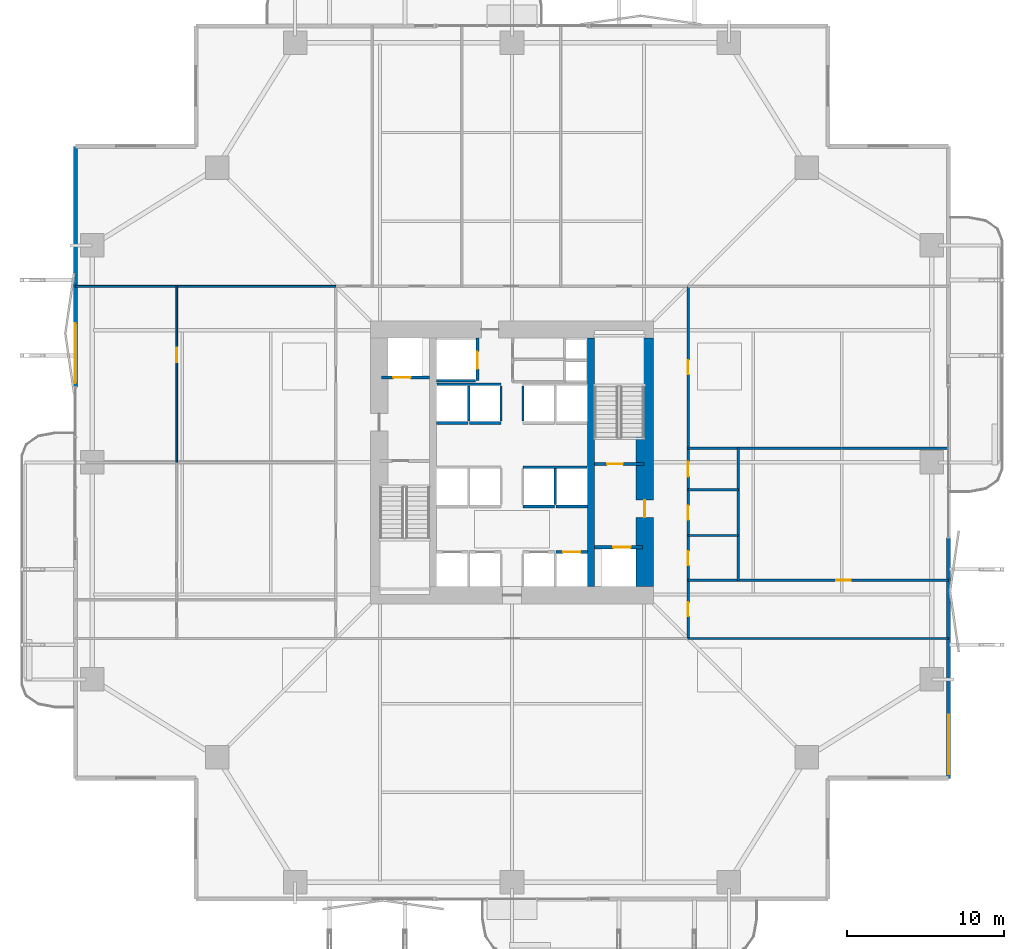
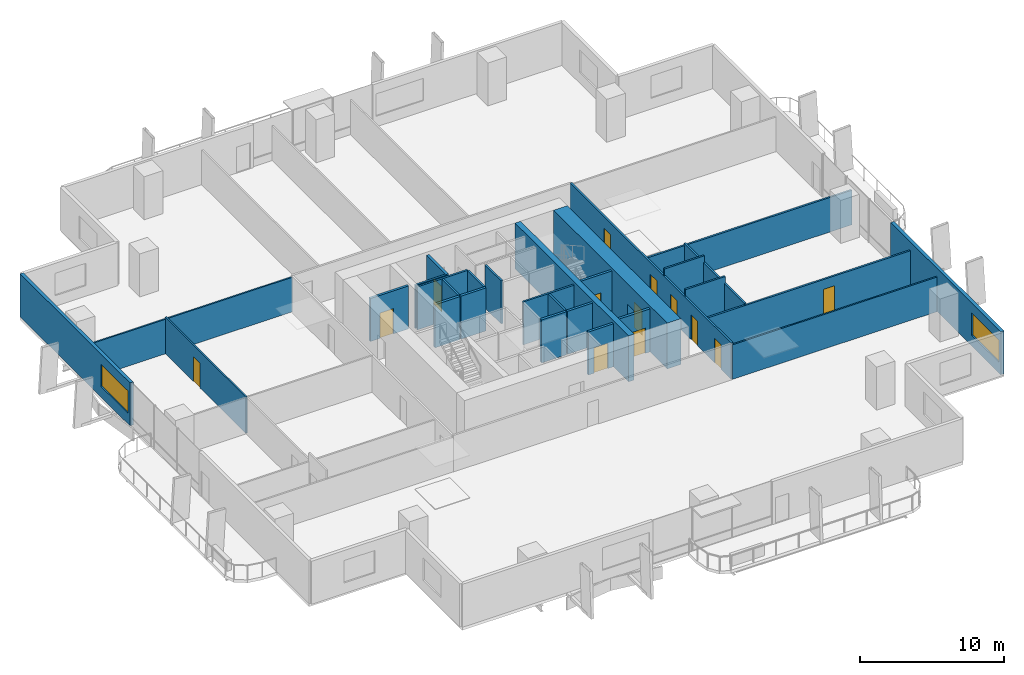
# One storey, part 18 of 24: 29 walls, 13 doors, 2 windows, 15 openings.
"""IFC4 building model written with IfcOpenShell, lengths in metres."""

from ifc_helpers import new_model, si_unit, direction, frame, frame_2d, origin, place, context, subcontext, project, spatial, rectangle, extrude, material, layer, layer_set, type_object, element, fill, save


model = new_model("IFC4")

# Units and contexts
model_context = context("Model", 3, precision=1e-05, world=origin(), true_north=direction((0.0, 1.0)))
body_context = subcontext(model_context, "Body", "Model", "MODEL_VIEW")
ifc_project = project(units=[si_unit("LENGTHUNIT", "METRE"), si_unit("AREAUNIT", "SQUARE_METRE"), si_unit("VOLUMEUNIT", "CUBIC_METRE"), si_unit("PLANEANGLEUNIT", "RADIAN"), si_unit("MASSUNIT", "GRAM", prefix="KILO")], contexts=[model_context])

# Site, building, storey
site_placement = place(None, origin())
site = spatial("IfcSite", under=ifc_project, at=site_placement, CompositionType="ELEMENT")
building_placement = place(site_placement, origin())
building = spatial("IfcBuilding", under=site, at=building_placement, Name="Belovzor Exchange Tower", CompositionType="ELEMENT")
storey_placement = place(building_placement, frame((0.0, 0.0, 45.60009765625)))
storey = spatial("IfcBuildingStorey", under=building, at=storey_placement, Name="L10", CompositionType="ELEMENT", Elevation=45.60009765625)

# Walls
ifc_material_1 = material(Name="Acoustic Plasterboard on Galvanised Studs", Category="gypsum")
ifc_layer_1 = layer(ifc_material_1, 0.1201171875)
ifc_layer_set_1 = layer_set([ifc_layer_1], Name="Acoustic Plasterboard on Galvanised Studs")
wall_type_1 = type_object("IfcWallType", Name="Acoustic Double-Stud Partition Wall 120", PredefinedType="PARTITIONING", material=ifc_layer_set_1)
for number, where, z_axis, x_axis, name in (
    (1, (40.0, 17.60009765625, 0.0), (0.0, 0.0, 1.0), (1.0, 0.0, 0.0), "W-P120 Partition Wall W-L10-END-SE"),
    (2, (1.030029296875, 40.0, 0.0), (0.0, 0.0, 1.0), (1.0, 0.0, 0.0), "W-P120 Partition Wall W-L10-END-NW"),
):
    element("IfcWall", number, at=place(storey_placement, frame(where, z_axis=z_axis, x_axis=x_axis)), inside=storey, type_object=wall_type_1, Name=name, PredefinedType="PARTITIONING", context=body_context, shape_type="SweptSolid", body=[
        extrude(rectangle(XDim=16.570068359375, YDim=0.1201171875, at=frame_2d((8.28515625, 0.0))), origin(), (0.0, 0.0, 1.0), 2.934814453125),
    ])

# Wall, opening, door
wall_1_placement = place(storey_placement, frame((7.47607421875, 28.787109375, 0.0), z_axis=(0.0, 0.0, 1.0), x_axis=(0.0, 1.0, 0.0)))
wall_1 = element("IfcWall", 3, at=wall_1_placement, inside=storey, type_object=wall_type_1, Name="W-P120 Partition Wall W-L10-WHDIV-2", PredefinedType="PARTITIONING", context=body_context, shape_type="SweptSolid", body=[
    extrude(rectangle(XDim=11.212890625, YDim=0.1201171875, at=frame_2d((5.6064453125, 0.0))), origin(), (0.0, 0.0, 1.0), 3.0849609375),
])
opening_1_placement = place(wall_1_placement, frame((6.39599609375, 0.0, 0.0)))
opening_1 = element("IfcOpeningElement", 4, at=opening_1_placement, cuts=wall_1, Name="Opening D-INT-090", PredefinedType="OPENING", context=body_context, shape_type="SweptSolid", body=[
    extrude(rectangle(XDim=0.89990234375, YDim=2.10009765625, at=frame_2d((0.449951171875, 1.050048828125))), frame((0.0, 0.070068359375, 0.0), z_axis=(0.0, -1.0, 0.0), x_axis=(1.0, 0.0, 0.0)), (0.0, 0.0, 1.0), 0.14013671875),
])
ifc_material_2 = material(Name="Veneered Hardwood Acoustic Leaf", Category="wood")
door_type_1 = type_object("IfcDoorType", Name="Trading Suite Acoustic Single Door 900x2100", OperationType="NOTDEFINED", PredefinedType="DOOR", material=ifc_material_2)
door_1_placement = place(opening_1_placement, origin())
door_1 = element("IfcDoor", 5, at=door_1_placement, inside=storey, type_object=door_type_1, Name="D-INT-090 Trading Suite Acoustic Single Door 900x2100", OperationType="SINGLE_SWING_LEFT", OverallHeight=2.10009765625, OverallWidth=0.89990234375, PredefinedType="DOOR", context=body_context, shape_type="SweptSolid", body=[
    extrude(rectangle(XDim=0.89990234375, YDim=2.10009765625, at=frame_2d((0.449951171875, 1.050048828125))), frame((0.0, 0.02490234375, 0.0), z_axis=(0.0, -1.0, 0.0), x_axis=(1.0, 0.0, 0.0)), (0.0, 0.0, 1.0), 0.050048828125),
])
fill(opening_1, door_1)

# Wall
ifc_material_3 = material(Name="Fire-Rated Gypsum Block and Mineral Wool", Category="gypsum")
ifc_layer_2 = layer(ifc_material_3, 0.14990234375)
ifc_layer_set_2 = layer_set([ifc_layer_2], Name="Fire-Rated Gypsum Block and Mineral Wool")
wall_type_2 = type_object("IfcWallType", Name="Fire-Rated Gypsum Block Corridor Wall 150", PredefinedType="PARTITIONING", material=ifc_layer_set_2)
wall_2_placement = place(storey_placement, frame((43.199951171875, 21.300048828125, 0.0), z_axis=(0.0, 0.0, 1.0), x_axis=(0.0, 1.0, 0.0)))
element("IfcWall", 6, at=wall_2_placement, inside=storey, type_object=wall_type_2, Name="W-P150 Partition Wall W-L10-WCE", PredefinedType="PARTITIONING", context=body_context, shape_type="SweptSolid", body=[
    extrude(rectangle(XDim=8.39990234375, YDim=0.14990234375, at=frame_2d((4.199951171875, 0.0))), origin(), (0.0, 0.0, 1.0), 3.0849609375),
])

# Wall, opening, door
wall_3_placement = place(storey_placement, frame((40.0, 21.300048828125, 0.0), z_axis=(0.0, 0.0, 1.0), x_axis=(1.0, 0.0, 0.0)))
wall_3 = element("IfcWall", 7, at=wall_3_placement, inside=storey, type_object=wall_type_2, Name="W-P150 Partition Wall W-L10-WCS", PredefinedType="PARTITIONING", context=body_context, shape_type="SweptSolid", body=[
    extrude(rectangle(XDim=16.570068359375, YDim=0.14990234375, at=frame_2d((8.28515625, 0.0))), origin(), (0.0, 0.0, 1.0), 2.934814453125),
])
opening_2_placement = place(wall_3_placement, frame((9.43505859375, 0.0, 0.0)))
opening_2 = element("IfcOpeningElement", 8, at=opening_2_placement, cuts=wall_3, Name="Opening D-INT-090", PredefinedType="OPENING", context=body_context, shape_type="SweptSolid", body=[
    extrude(rectangle(XDim=0.89990234375, YDim=2.10009765625, at=frame_2d((0.449951171875, 1.050048828125))), frame((0.0, 0.0849609375, 0.0), z_axis=(0.0, -1.0, 0.0), x_axis=(1.0, 0.0, 0.0)), (0.0, 0.0, 1.0), 0.169921875),
])
door_2_placement = place(opening_2_placement, origin())
door_2 = element("IfcDoor", 9, at=door_2_placement, inside=storey, type_object=door_type_1, Name="D-INT-090 Trading Suite Acoustic Single Door 900x2100", OperationType="SINGLE_SWING_LEFT", OverallHeight=2.10009765625, OverallWidth=0.89990234375, PredefinedType="DOOR", context=body_context, shape_type="SweptSolid", body=[
    extrude(rectangle(XDim=0.89990234375, YDim=2.10009765625, at=frame_2d((0.449951171875, 1.050048828125))), frame((0.0, 0.02490234375, 0.0), z_axis=(0.0, -1.0, 0.0), x_axis=(1.0, 0.0, 0.0)), (0.0, 0.0, 1.0), 0.050048828125),
])
fill(opening_2, door_2)

# Walls
wall_4_placement = place(storey_placement, frame((40.0, 29.699951171875, 0.0), z_axis=(0.0, 0.0, 1.0), x_axis=(1.0, 0.0, 0.0)))
element("IfcWall", 10, at=wall_4_placement, inside=storey, type_object=wall_type_2, Name="W-P150 Partition Wall W-L10-WCN", PredefinedType="PARTITIONING", context=body_context, shape_type="SweptSolid", body=[
    extrude(rectangle(XDim=16.570068359375, YDim=0.14990234375, at=frame_2d((8.28515625, 0.0))), origin(), (0.0, 0.0, 1.0), 2.934814453125),
])
for number, where, z_axis, x_axis, name in (
    (11, (40.0, 24.14990234375, 0.0), (0.0, 0.0, 1.0), (1.0, 0.0, 0.0), "W-P150 Partition Wall W-L10-WCD1"),
    (12, (40.0, 27.050048828125, 0.0), (0.0, 0.0, 1.0), (1.0, 0.0, 0.0), "W-P150 Partition Wall W-L10-WCD2"),
):
    element("IfcWall", number, at=place(storey_placement, frame(where, z_axis=z_axis, x_axis=x_axis)), inside=storey, type_object=wall_type_2, Name=name, PredefinedType="PARTITIONING", context=body_context, shape_type="SweptSolid", body=[
        extrude(rectangle(XDim=3.199951171875, YDim=0.14990234375, at=frame_2d((1.60009765625, 0.0))), origin(), (0.0, 0.0, 1.0), 3.64990234375),
    ])

# Wall, openings, doors
wall_5_placement = place(storey_placement, frame((40.0, 17.60009765625, 0.0), z_axis=(0.0, 0.0, 1.0), x_axis=(0.0, 1.0, 0.0)))
wall_5 = element("IfcWall", 13, at=wall_5_placement, inside=storey, type_object=wall_type_2, Name="W-P150 Partition Wall W-L10-CE", PredefinedType="PARTITIONING", context=body_context, shape_type="SweptSolid", body=[
    extrude(rectangle(XDim=22.39990234375, YDim=0.14990234375, at=frame_2d((11.199951171875, 0.0))), origin(), (0.0, 0.0, 1.0), 3.0849609375),
])
opening_3_placement = place(wall_5_placement, frame((1.39990234375, 0.0, 0.0)))
opening_3 = element("IfcOpeningElement", 14, at=opening_3_placement, cuts=wall_5, Name="Opening D-INT-090", PredefinedType="OPENING", context=body_context, shape_type="SweptSolid", body=[
    extrude(rectangle(XDim=0.89990234375, YDim=2.10009765625, at=frame_2d((0.449951171875, 1.050048828125))), frame((0.0, 0.0849609375, 0.0), z_axis=(0.0, -1.0, 0.0), x_axis=(1.0, 0.0, 0.0)), (0.0, 0.0, 1.0), 0.169921875),
])
opening_4_placement = place(wall_5_placement, frame((4.64990234375, 0.0, 0.0)))
opening_4 = element("IfcOpeningElement", 15, at=opening_4_placement, cuts=wall_5, Name="Opening D-FD60-090", PredefinedType="OPENING", context=body_context, shape_type="SweptSolid", body=[
    extrude(rectangle(XDim=0.89990234375, YDim=2.10009765625, at=frame_2d((0.449951171875, 1.050048828125))), frame((0.0, 0.0849609375, 0.0), z_axis=(0.0, -1.0, 0.0), x_axis=(1.0, 0.0, 0.0)), (0.0, 0.0, 1.0), 0.169921875),
])
opening_5_placement = place(wall_5_placement, frame((7.550048828125, 0.0, 0.0)))
opening_5 = element("IfcOpeningElement", 16, at=opening_5_placement, cuts=wall_5, Name="Opening D-FD60-090", PredefinedType="OPENING", context=body_context, shape_type="SweptSolid", body=[
    extrude(rectangle(XDim=0.89990234375, YDim=2.10009765625, at=frame_2d((0.449951171875, 1.050048828125))), frame((0.0, 0.0849609375, 0.0), z_axis=(0.0, -1.0, 0.0), x_axis=(1.0, 0.0, 0.0)), (0.0, 0.0, 1.0), 0.169921875),
])
opening_6_placement = place(wall_5_placement, frame((10.300048828125, 0.0, 0.0)))
opening_6 = element("IfcOpeningElement", 17, at=opening_6_placement, cuts=wall_5, Name="Opening D-FD60-095", PredefinedType="OPENING", context=body_context, shape_type="SweptSolid", body=[
    extrude(rectangle(XDim=0.949951171875, YDim=2.10009765625, at=frame_2d((0.47509765625, 1.050048828125))), frame((0.0, 0.0849609375, 0.0), z_axis=(0.0, -1.0, 0.0), x_axis=(1.0, 0.0, 0.0)), (0.0, 0.0, 1.0), 0.169921875),
])
opening_7_placement = place(wall_5_placement, frame((16.800048828125, 0.0, 0.0)))
opening_7 = element("IfcOpeningElement", 18, at=opening_7_placement, cuts=wall_5, Name="Opening D-INT-090", PredefinedType="OPENING", context=body_context, shape_type="SweptSolid", body=[
    extrude(rectangle(XDim=0.89990234375, YDim=2.10009765625, at=frame_2d((0.449951171875, 1.050048828125))), frame((0.0, 0.0849609375, 0.0), z_axis=(0.0, -1.0, 0.0), x_axis=(1.0, 0.0, 0.0)), (0.0, 0.0, 1.0), 0.169921875),
])
ifc_material_4 = material(Name="Moisture-Resistant Timber Fire Leaf", Category="wood")
door_type_2 = type_object("IfcDoorType", Name="Accessible Restroom Wide Fire Door 950x2100", OperationType="NOTDEFINED", PredefinedType="DOOR", material=ifc_material_4)
door_3_placement = place(opening_6_placement, origin())
door_3 = element("IfcDoor", 19, at=door_3_placement, inside=storey, type_object=door_type_2, Name="D-FD60-095 Accessible Restroom Wide Fire Door 950x2100", OperationType="SINGLE_SWING_LEFT", OverallHeight=2.10009765625, OverallWidth=0.949951171875, PredefinedType="DOOR", context=body_context, shape_type="SweptSolid", body=[
    extrude(rectangle(XDim=0.949951171875, YDim=2.10009765625, at=frame_2d((0.47509765625, 1.050048828125))), frame((0.0, 0.02490234375, 0.0), z_axis=(0.0, -1.0, 0.0), x_axis=(1.0, 0.0, 0.0)), (0.0, 0.0, 1.0), 0.050048828125),
])
fill(opening_6, door_3)
ifc_material_5 = material(Name="Acoustic Timber Fire Leaf", Category="wood")
door_type_3 = type_object("IfcDoorType", Name="Core Service & Restroom Fire Door 900x2100", OperationType="NOTDEFINED", PredefinedType="DOOR", material=ifc_material_5)
door_4_placement = place(opening_4_placement, origin())
door_4 = element("IfcDoor", 20, at=door_4_placement, inside=storey, type_object=door_type_3, Name="D-FD60-090 Core Service & Restroom Fire Door 900x2100", OperationType="SINGLE_SWING_LEFT", OverallHeight=2.10009765625, OverallWidth=0.89990234375, PredefinedType="DOOR", context=body_context, shape_type="SweptSolid", body=[
    extrude(rectangle(XDim=0.89990234375, YDim=2.10009765625, at=frame_2d((0.449951171875, 1.050048828125))), frame((0.0, 0.02490234375, 0.0), z_axis=(0.0, -1.0, 0.0), x_axis=(1.0, 0.0, 0.0)), (0.0, 0.0, 1.0), 0.050048828125),
])
fill(opening_4, door_4)
door_5_placement = place(opening_5_placement, origin())
door_5 = element("IfcDoor", 21, at=door_5_placement, inside=storey, type_object=door_type_3, Name="D-FD60-090 Core Service & Restroom Fire Door 900x2100", OperationType="SINGLE_SWING_RIGHT", OverallHeight=2.10009765625, OverallWidth=0.89990234375, PredefinedType="DOOR", context=body_context, shape_type="SweptSolid", body=[
    extrude(rectangle(XDim=0.89990234375, YDim=2.10009765625, at=frame_2d((0.449951171875, 1.050048828125))), frame((0.0, 0.02490234375, 0.0), z_axis=(0.0, -1.0, 0.0), x_axis=(1.0, 0.0, 0.0)), (0.0, 0.0, 1.0), 0.050048828125),
])
fill(opening_5, door_5)
door_6_placement = place(opening_3_placement, origin())
door_6 = element("IfcDoor", 22, at=door_6_placement, inside=storey, type_object=door_type_1, Name="D-INT-090 Trading Suite Acoustic Single Door 900x2100", OperationType="SINGLE_SWING_LEFT", OverallHeight=2.10009765625, OverallWidth=0.89990234375, PredefinedType="DOOR", context=body_context, shape_type="SweptSolid", body=[
    extrude(rectangle(XDim=0.89990234375, YDim=2.10009765625, at=frame_2d((0.449951171875, 1.050048828125))), frame((0.0, 0.02490234375, 0.0), z_axis=(0.0, -1.0, 0.0), x_axis=(1.0, 0.0, 0.0)), (0.0, 0.0, 1.0), 0.050048828125),
])
fill(opening_3, door_6)
door_7_placement = place(opening_7_placement, origin())
door_7 = element("IfcDoor", 23, at=door_7_placement, inside=storey, type_object=door_type_1, Name="D-INT-090 Trading Suite Acoustic Single Door 900x2100", OperationType="SINGLE_SWING_RIGHT", OverallHeight=2.10009765625, OverallWidth=0.89990234375, PredefinedType="DOOR", context=body_context, shape_type="SweptSolid", body=[
    extrude(rectangle(XDim=0.89990234375, YDim=2.10009765625, at=frame_2d((0.449951171875, 1.050048828125))), frame((0.0, 0.02490234375, 0.0), z_axis=(0.0, -1.0, 0.0), x_axis=(1.0, 0.0, 0.0)), (0.0, 0.0, 1.0), 0.050048828125),
])
fill(opening_7, door_7)

# Wall, opening, window
ifc_material_6 = material(Name="Precast concrete C40/50", Category="concrete")
ifc_layer_3 = layer(ifc_material_6, 0.260009765625)
ifc_layer_set_3 = layer_set([ifc_layer_3], Name="Precast concrete C40/50")
wall_type_3 = type_object("IfcWallType", Name="Precast Concrete Perimeter Loggia Frame Wall 260", PredefinedType="SOLIDWALL", material=ifc_layer_set_3)
wall_6_placement = place(storey_placement, frame((1.030029296875, 33.60009765625, 0.0), z_axis=(0.0, 0.0, 1.0), x_axis=(0.0, 1.0, 0.0)))
wall_6 = element("IfcWall", 24, at=wall_6_placement, inside=storey, type_object=wall_type_3, Name="W-EXT260 Precast Concrete Perimeter Loggia Frame Wall 260 L10", PredefinedType="SOLIDWALL", context=body_context, shape_type="SweptSolid", body=[
    extrude(rectangle(XDim=15.2998046875, YDim=0.260009765625, at=frame_2d((7.64990234375, 0.0))), origin(), (0.0, 0.0, 1.0), 3.64990234375),
])
opening_8_placement = place(wall_6_placement, frame((0.25, 0.0, 0.89990234375)))
opening_8 = element("IfcOpeningElement", 25, at=opening_8_placement, cuts=wall_6, Name="Opening WN-RIB380", PredefinedType="OPENING", context=body_context, shape_type="SweptSolid", body=[
    extrude(rectangle(XDim=3.800048828125, YDim=1.89990234375, at=frame_2d((1.89990234375, 0.949951171875))), frame((0.0, 0.139892578125, 0.0), z_axis=(0.0, -1.0, 0.0), x_axis=(1.0, 0.0, 0.0)), (0.0, 0.0, 1.0), 0.280029296875),
])
ifc_material_7 = material(Name="Thermally Broken Aluminium and Triple Glazing", Category="aluminium")
window_type = type_object("IfcWindowType", Name="Streamline Moderne Horizontal Ribbon Window 3800x1900", PartitioningType="SINGLE_PANEL", PredefinedType="WINDOW", material=ifc_material_7)
window_1_placement = place(opening_8_placement, origin())
window_1 = element("IfcWindow", 26, at=window_1_placement, inside=storey, type_object=window_type, Name="WN-RIB380 Streamline Moderne Horizontal Ribbon Window 3800x1900", OverallHeight=1.89990234375, OverallWidth=3.800048828125, PartitioningType="SINGLE_PANEL", PredefinedType="WINDOW", context=body_context, shape_type="SweptSolid", body=[
    extrude(rectangle(XDim=3.800048828125, YDim=1.89990234375, at=frame_2d((1.89990234375, 0.949951171875))), frame((0.0, 0.030029296875, 0.0), z_axis=(0.0, -1.0, 0.0), x_axis=(1.0, 0.0, 0.0)), (0.0, 0.0, 1.0), 0.06005859375),
])
fill(opening_8, window_1)

wall_7_placement = place(storey_placement, frame((56.570068359375, 24.0, 0.0), z_axis=(0.0, 0.0, 1.0), x_axis=(0.0, -1.0, 0.0)))
wall_7 = element("IfcWall", 27, at=wall_7_placement, inside=storey, type_object=wall_type_3, Name="W-EXT260 Precast Concrete Perimeter Loggia Frame Wall 260 L10", PredefinedType="SOLIDWALL", context=body_context, shape_type="SweptSolid", body=[
    extrude(rectangle(XDim=15.300048828125, YDim=0.260009765625, at=frame_2d((7.64990234375, 0.0))), origin(), (0.0, 0.0, 1.0), 3.64990234375),
])
opening_9_placement = place(wall_7_placement, frame((11.25, 0.0, 0.89990234375)))
opening_9 = element("IfcOpeningElement", 28, at=opening_9_placement, cuts=wall_7, Name="Opening WN-RIB380", PredefinedType="OPENING", context=body_context, shape_type="SweptSolid", body=[
    extrude(rectangle(XDim=3.800048828125, YDim=1.89990234375, at=frame_2d((1.89990234375, 0.949951171875))), frame((0.0, 0.139892578125, 0.0), z_axis=(0.0, -1.0, 0.0), x_axis=(1.0, 0.0, 0.0)), (0.0, 0.0, 1.0), 0.280029296875),
])
window_2_placement = place(opening_9_placement, origin())
window_2 = element("IfcWindow", 29, at=window_2_placement, inside=storey, type_object=window_type, Name="WN-RIB380 Streamline Moderne Horizontal Ribbon Window 3800x1900", OverallHeight=1.89990234375, OverallWidth=3.800048828125, PartitioningType="SINGLE_PANEL", PredefinedType="WINDOW", context=body_context, shape_type="SweptSolid", body=[
    extrude(rectangle(XDim=3.800048828125, YDim=1.89990234375, at=frame_2d((1.89990234375, 0.949951171875))), frame((0.0, 0.030029296875, 0.0), z_axis=(0.0, -1.0, 0.0), x_axis=(1.0, 0.0, 0.0)), (0.0, 0.0, 1.0), 0.06005859375),
])
fill(opening_9, window_2)

# Walls
ifc_material_8 = material(Name="Concrete C50/60", Category="concrete")
ifc_layer_4 = layer(ifc_material_8, 0.449951171875)
ifc_layer_set_4 = layer_set([ifc_layer_4], Name="Concrete C50/60")
wall_type_4 = type_object("IfcWallType", Name="Reinforced Concrete Core Internal Web Wall 450", PredefinedType="SHEAR", material=ifc_layer_set_4)
wall_8_placement = place(storey_placement, frame((33.824951171875, 20.89990234375, 0.0), z_axis=(0.0, 0.0, 1.0), x_axis=(0.0, 1.0, 0.0)))
element("IfcWall", 30, at=wall_8_placement, inside=storey, type_object=wall_type_4, Name="CW-W045 Core Internal Web Wall L10 ER", PredefinedType="SHEAR", context=body_context, shape_type="SweptSolid", body=[
    extrude(rectangle(XDim=15.800048828125, YDim=0.449951171875, at=frame_2d((7.89990234375, 0.0))), origin(), (0.0, 0.0, 1.0), 3.89990234375),
])
ifc_material_9 = material(Name="Concrete C50/60", Category="concrete")
ifc_layer_5 = layer(ifc_material_9, 0.14990234375)
ifc_layer_set_5 = layer_set([ifc_layer_5], Name="Concrete C50/60")
wall_type_5 = type_object("IfcWallType", Name="Reinforced Concrete Core Riser Shear Wall 150", PredefinedType="SHEAR", material=ifc_layer_set_5)
wall_9_placement = place(storey_placement, frame((24.0, 34.0, 0.0), z_axis=(0.0, 0.0, 1.0), x_axis=(1.0, 0.0, 0.0)))
element("IfcWall", 31, at=wall_9_placement, inside=storey, type_object=wall_type_5, Name="W-C150S Core Shaft Wall W-SH-L10-SL-01S", PredefinedType="SHEAR", context=body_context, shape_type="SweptSolid", body=[
    extrude(rectangle(XDim=2.47998046875, YDim=0.14990234375, at=frame_2d((1.239990234375, 0.0))), origin(), (0.0, 0.0, 1.0), 3.64990234375),
])
wall_10_placement = place(storey_placement, frame((29.5, 28.5, 0.0), z_axis=(0.0, 0.0, 1.0), x_axis=(1.0, 0.0, 0.0)))
element("IfcWall", 32, at=wall_10_placement, inside=storey, type_object=wall_type_5, Name="W-C150S Core Shaft Wall W-SHB-L10-PLM-NE", PredefinedType="SHEAR", context=body_context, shape_type="SweptSolid", body=[
    extrude(rectangle(XDim=4.080078125, YDim=0.14990234375, at=frame_2d((2.0400390625, 0.0))), origin(), (0.0, 0.0, 1.0), 3.64990234375),
])
wall_11_placement = place(storey_placement, frame((31.550048828125, 26.1201171875, 0.0), z_axis=(0.0, 0.0, 1.0), x_axis=(0.0, 1.0, 0.0)))
element("IfcWall", 33, at=wall_11_placement, inside=storey, type_object=wall_type_5, Name="W-C150S Core Shaft Wall W-SHD-L10-PLM-4", PredefinedType="SHEAR", context=body_context, shape_type="SweptSolid", body=[
    extrude(rectangle(XDim=2.27978515625, YDim=0.14990234375, at=frame_2d((1.139892578125, 0.0))), origin(), (0.0, 0.0, 1.0), 3.64990234375),
])
wall_12_placement = place(storey_placement, frame((24.02001953125, 33.760009765625, 0.0), z_axis=(0.0, 0.0, 1.0), x_axis=(1.0, 0.0, 0.0)))
element("IfcWall", 34, at=wall_12_placement, inside=storey, type_object=wall_type_5, Name="W-C150S Core Shaft Wall W-SHB-L10-PLH-NW", PredefinedType="SHEAR", context=body_context, shape_type="SweptSolid", body=[
    extrude(rectangle(XDim=4.080078125, YDim=0.14990234375, at=frame_2d((2.0400390625, 0.0))), origin(), (0.0, 0.0, 1.0), 3.64990234375),
])
for number, where, z_axis, x_axis, name in (
    (35, (26.050048828125, 31.419921875, 0.0), (0.0, 0.0, 1.0), (0.0, 1.0, 0.0), "W-C150S Core Shaft Wall W-SHD-L10-PLH-1"),
    (36, (28.10009765625, 31.419921875, 0.0), (0.0, 0.0, 1.0), (0.0, 1.0, 0.0), "W-C150S Core Shaft Wall W-SHD-L10-PLH-2"),
    (37, (29.5, 31.419921875, 0.0), (0.0, 0.0, 1.0), (0.0, 1.0, 0.0), "W-C150S Core Shaft Wall W-SHD-L10-PLH-3"),
):
    element("IfcWall", number, at=place(storey_placement, frame(where, z_axis=z_axis, x_axis=x_axis)), inside=storey, type_object=wall_type_5, Name=name, PredefinedType="SHEAR", context=body_context, shape_type="SweptSolid", body=[
        extrude(rectangle(XDim=2.239990234375, YDim=0.14990234375, at=frame_2d((1.1201171875, 0.0))), origin(), (0.0, 0.0, 1.0), 3.64990234375),
    ])

# Wall, opening, door
ifc_material_10 = material(Name="Concrete C50/60", Category="concrete")
ifc_layer_6 = layer(ifc_material_10, 0.199951171875)
ifc_layer_set_6 = layer_set([ifc_layer_6], Name="Concrete C50/60")
wall_type_6 = type_object("IfcWallType", Name="Reinforced Concrete Core Shaft Shear Wall 200", PredefinedType="SHEAR", material=ifc_layer_set_6)
wall_13_placement = place(storey_placement, frame((34.050048828125, 28.699951171875, 0.0), z_axis=(0.0, 0.0, 1.0), x_axis=(1.0, 0.0, 0.0)))
wall_13 = element("IfcWall", 38, at=wall_13_placement, inside=storey, type_object=wall_type_6, Name="W-C200S Core Shaft Wall W-CORE-L10-FFLE2", PredefinedType="SHEAR", context=body_context, shape_type="SweptSolid", body=[
    extrude(rectangle(XDim=3.14990234375, YDim=0.199951171875, at=frame_2d((1.574951171875, 0.0))), origin(), (0.0, 0.0, 1.0), 3.64990234375),
])
opening_10_placement = place(wall_13_placement, frame((0.800048828125, 0.0, 0.0)))
opening_10 = element("IfcOpeningElement", 39, at=opening_10_placement, cuts=wall_13, Name="Opening D-FD90-100", PredefinedType="OPENING", context=body_context, shape_type="SweptSolid", body=[
    extrude(rectangle(XDim=1.0, YDim=2.10009765625, at=frame_2d((0.5, 1.050048828125))), frame((0.0, 0.10986328125, 0.0), z_axis=(0.0, -1.0, 0.0), x_axis=(1.0, 0.0, 0.0)), (0.0, 0.0, 1.0), 0.219970703125),
])
ifc_material_11 = material(Name="Fire-Rated Galvanised Steel Leaf", Category="steel")
door_type_4 = type_object("IfcDoorType", Name="Protected Stairwell Single Fire Door 1000x2100", OperationType="NOTDEFINED", PredefinedType="DOOR", material=ifc_material_11)
door_8_placement = place(opening_10_placement, origin())
door_8 = element("IfcDoor", 40, at=door_8_placement, inside=storey, type_object=door_type_4, Name="D-FD90-100 Protected Stairwell Single Fire Door 1000x2100", OperationType="SINGLE_SWING_LEFT", OverallHeight=2.10009765625, OverallWidth=1.0, PredefinedType="DOOR", context=body_context, shape_type="SweptSolid", body=[
    extrude(rectangle(XDim=1.0, YDim=2.10009765625, at=frame_2d((0.5, 1.050048828125))), frame((0.0, 0.02490234375, 0.0), z_axis=(0.0, -1.0, 0.0), x_axis=(1.0, 0.0, 0.0)), (0.0, 0.0, 1.0), 0.050048828125),
])
fill(opening_10, door_8)

wall_14_placement = place(storey_placement, frame((20.5, 34.199951171875, 0.0), z_axis=(0.0, 0.0, 1.0), x_axis=(1.0, 0.0, 0.0)))
wall_14 = element("IfcWall", 41, at=wall_14_placement, inside=storey, type_object=wall_type_6, Name="W-C200S Core Shaft Wall W-SH-L10-FFL-01", PredefinedType="SHEAR", context=body_context, shape_type="SweptSolid", body=[
    extrude(rectangle(XDim=3.050048828125, YDim=0.199951171875, at=frame_2d((1.52490234375, 0.0))), origin(), (0.0, 0.0, 1.0), 3.64990234375),
])
opening_11_placement = place(wall_14_placement, frame((0.75, 0.0, 0.0)))
opening_11 = element("IfcOpeningElement", 42, at=opening_11_placement, cuts=wall_14, Name="Opening LD-110", PredefinedType="OPENING", context=body_context, shape_type="SweptSolid", body=[
    extrude(rectangle(XDim=1.10009765625, YDim=2.14990234375, at=frame_2d((0.550048828125, 1.074951171875))), frame((0.0, 0.10986328125, 0.0), z_axis=(0.0, -1.0, 0.0), x_axis=(1.0, 0.0, 0.0)), (0.0, 0.0, 1.0), 0.219970703125),
])
ifc_material_12 = material(Name="Stainless Steel Grade 304", Category="steel")
door_type_5 = type_object("IfcDoorType", Name="Automated Stainless Steel Lift Landing Door 1100x2150", OperationType="SLIDING_TO_RIGHT", PredefinedType="DOOR", material=ifc_material_12)
door_9_placement = place(opening_11_placement, origin())
door_9 = element("IfcDoor", 43, at=door_9_placement, inside=storey, type_object=door_type_5, Name="LD-110 Automated Stainless Steel Lift Landing Door 1100x2150", OperationType="SLIDING_TO_RIGHT", OverallHeight=2.14990234375, OverallWidth=1.10009765625, PredefinedType="DOOR", context=body_context, shape_type="SweptSolid", body=[
    extrude(rectangle(XDim=1.10009765625, YDim=2.14990234375, at=frame_2d((0.550048828125, 1.074951171875))), frame((0.0, 0.02490234375, 0.0), z_axis=(0.0, -1.0, 0.0), x_axis=(1.0, 0.0, 0.0)), (0.0, 0.0, 1.0), 0.050048828125),
])
fill(opening_11, door_9)

wall_15_placement = place(storey_placement, frame((34.050048828125, 23.39990234375, 0.0), z_axis=(0.0, 0.0, 1.0), x_axis=(1.0, 0.0, 0.0)))
wall_15 = element("IfcWall", 44, at=wall_15_placement, inside=storey, type_object=wall_type_6, Name="W-C200S Core Shaft Wall W-SH-L10-FFL-02", PredefinedType="SHEAR", context=body_context, shape_type="SweptSolid", body=[
    extrude(rectangle(XDim=3.050048828125, YDim=0.199951171875, at=frame_2d((1.52490234375, 0.0))), origin(), (0.0, 0.0, 1.0), 3.64990234375),
])
opening_12_placement = place(wall_15_placement, frame((1.199951171875, 0.0, 0.0)))
opening_12 = element("IfcOpeningElement", 45, at=opening_12_placement, cuts=wall_15, Name="Opening LD-110", PredefinedType="OPENING", context=body_context, shape_type="SweptSolid", body=[
    extrude(rectangle(XDim=1.10009765625, YDim=2.14990234375, at=frame_2d((0.550048828125, 1.074951171875))), frame((0.0, 0.10986328125, 0.0), z_axis=(0.0, -1.0, 0.0), x_axis=(1.0, 0.0, 0.0)), (0.0, 0.0, 1.0), 0.219970703125),
])
door_10_placement = place(opening_12_placement, origin())
door_10 = element("IfcDoor", 46, at=door_10_placement, inside=storey, type_object=door_type_5, Name="LD-110 Automated Stainless Steel Lift Landing Door 1100x2150", OperationType="SLIDING_TO_RIGHT", OverallHeight=2.14990234375, OverallWidth=1.10009765625, PredefinedType="DOOR", context=body_context, shape_type="SweptSolid", body=[
    extrude(rectangle(XDim=1.10009765625, YDim=2.14990234375, at=frame_2d((0.550048828125, 1.074951171875))), frame((0.0, 0.02490234375, 0.0), z_axis=(0.0, -1.0, 0.0), x_axis=(1.0, 0.0, 0.0)), (0.0, 0.0, 1.0), 0.050048828125),
])
fill(opening_12, door_10)

wall_16_placement = place(storey_placement, frame((26.60009765625, 34.0, 0.0), z_axis=(0.0, 0.0, 1.0), x_axis=(0.0, 1.0, 0.0)))
wall_16 = element("IfcWall", 47, at=wall_16_placement, inside=storey, type_object=wall_type_6, Name="W-C200S Core Shaft Wall W-SH-L10-SL-01", PredefinedType="SHEAR", context=body_context, shape_type="SweptSolid", body=[
    extrude(rectangle(XDim=2.699951171875, YDim=0.199951171875, at=frame_2d((1.35009765625, 0.0))), origin(), (0.0, 0.0, 1.0), 3.64990234375),
])
opening_13_placement = place(wall_16_placement, frame((0.75, 0.0, 0.0)))
opening_13 = element("IfcOpeningElement", 48, at=opening_13_placement, cuts=wall_16, Name="Opening LD-110", PredefinedType="OPENING", context=body_context, shape_type="SweptSolid", body=[
    extrude(rectangle(XDim=1.10009765625, YDim=2.14990234375, at=frame_2d((0.550048828125, 1.074951171875))), frame((0.0, 0.10986328125, 0.0), z_axis=(0.0, -1.0, 0.0), x_axis=(1.0, 0.0, 0.0)), (0.0, 0.0, 1.0), 0.219970703125),
])
door_11_placement = place(opening_13_placement, origin())
door_11 = element("IfcDoor", 49, at=door_11_placement, inside=storey, type_object=door_type_5, Name="LD-110 Automated Stainless Steel Lift Landing Door 1100x2150", OperationType="SLIDING_TO_RIGHT", OverallHeight=2.14990234375, OverallWidth=1.10009765625, PredefinedType="DOOR", context=body_context, shape_type="SweptSolid", body=[
    extrude(rectangle(XDim=1.10009765625, YDim=2.14990234375, at=frame_2d((0.550048828125, 1.074951171875))), frame((0.0, 0.02490234375, 0.0), z_axis=(0.0, -1.0, 0.0), x_axis=(1.0, 0.0, 0.0)), (0.0, 0.0, 1.0), 0.050048828125),
])
fill(opening_13, door_11)

wall_17_placement = place(storey_placement, frame((31.60009765625, 23.10009765625, 0.0), z_axis=(0.0, 0.0, 1.0), x_axis=(1.0, 0.0, 0.0)))
wall_17 = element("IfcWall", 50, at=wall_17_placement, inside=storey, type_object=wall_type_6, Name="W-C200S Core Shaft Wall W-SH-L10-PL-L4", PredefinedType="SHEAR", context=body_context, shape_type="SweptSolid", body=[
    extrude(rectangle(XDim=2.0, YDim=0.199951171875, at=frame_2d((1.0, 0.0))), origin(), (0.0, 0.0, 1.0), 3.64990234375),
])
opening_14_placement = place(wall_17_placement, frame((0.449951171875, 0.0, 0.0)))
opening_14 = element("IfcOpeningElement", 51, at=opening_14_placement, cuts=wall_17, Name="Opening LD-110", PredefinedType="OPENING", context=body_context, shape_type="SweptSolid", body=[
    extrude(rectangle(XDim=1.10009765625, YDim=2.14990234375, at=frame_2d((0.550048828125, 1.074951171875))), frame((0.0, 0.10986328125, 0.0), z_axis=(0.0, -1.0, 0.0), x_axis=(1.0, 0.0, 0.0)), (0.0, 0.0, 1.0), 0.219970703125),
])
door_12_placement = place(opening_14_placement, origin())
door_12 = element("IfcDoor", 52, at=door_12_placement, inside=storey, type_object=door_type_5, Name="LD-110 Automated Stainless Steel Lift Landing Door 1100x2150", OperationType="SLIDING_TO_RIGHT", OverallHeight=2.14990234375, OverallWidth=1.10009765625, PredefinedType="DOOR", context=body_context, shape_type="SweptSolid", body=[
    extrude(rectangle(XDim=1.10009765625, YDim=2.14990234375, at=frame_2d((0.550048828125, 1.074951171875))), frame((0.0, 0.02490234375, 0.0), z_axis=(0.0, -1.0, 0.0), x_axis=(1.0, 0.0, 0.0)), (0.0, 0.0, 1.0), 0.050048828125),
])
fill(opening_14, door_12)

# Walls
for number, where, z_axis, x_axis, name in (
    (53, (29.5, 26.0, 0.0), (0.0, 0.0, 1.0), (1.0, 0.0, 0.0), "W-C200S Core Shaft Wall W-SH-L10-PL-M3"),
    (54, (31.60009765625, 26.0, 0.0), (0.0, 0.0, 1.0), (1.0, 0.0, 0.0), "W-C200S Core Shaft Wall W-SH-L10-PL-M4"),
    (55, (24.0, 31.300048828125, 0.0), (0.0, 0.0, 1.0), (1.0, 0.0, 0.0), "W-C200S Core Shaft Wall W-SH-L10-PL-H1"),
    (56, (26.10009765625, 31.300048828125, 0.0), (0.0, 0.0, 1.0), (1.0, 0.0, 0.0), "W-C200S Core Shaft Wall W-SH-L10-PL-H2"),
):
    element("IfcWall", number, at=place(storey_placement, frame(where, z_axis=z_axis, x_axis=x_axis)), inside=storey, type_object=wall_type_6, Name=name, PredefinedType="SHEAR", context=body_context, shape_type="SweptSolid", body=[
        extrude(rectangle(XDim=2.0, YDim=0.199951171875, at=frame_2d((1.0, 0.0))), origin(), (0.0, 0.0, 1.0), 3.64990234375),
    ])

# Wall, opening, door
ifc_material_13 = material(Name="Concrete C60/75", Category="concrete")
ifc_layer_7 = layer(ifc_material_13, 1.10009765625)
ifc_layer_set_7 = layer_set([ifc_layer_7], Name="Concrete C60/75")
wall_type_7 = type_object("IfcWallType", Name="Reinforced Concrete Core Shear Wall 1100", PredefinedType="SHEAR", material=ifc_layer_set_7)
wall_18_placement = place(storey_placement, frame((37.25, 20.89990234375, 0.0), z_axis=(0.0, 0.0, 1.0), x_axis=(0.0, 1.0, 0.0)))
wall_18 = element("IfcWall", 57, at=wall_18_placement, inside=storey, type_object=wall_type_7, Name="CW-S110 Core Shear Wall L10 E", PredefinedType="SHEAR", context=body_context, shape_type="SweptSolid", body=[
    extrude(rectangle(XDim=15.800048828125, YDim=1.10009765625, at=frame_2d((7.89990234375, 0.0))), origin(), (0.0, 0.0, 1.0), 3.89990234375),
])
opening_15_placement = place(wall_18_placement, frame((4.39990234375, 0.0, 0.0)))
opening_15 = element("IfcOpeningElement", 58, at=opening_15_placement, cuts=wall_18, Name="Opening D-FD90-110", PredefinedType="OPENING", context=body_context, shape_type="SweptSolid", body=[
    extrude(rectangle(XDim=1.10009765625, YDim=2.14990234375, at=frame_2d((0.550048828125, 1.074951171875))), frame((0.0, 0.56005859375, 0.0), z_axis=(0.0, -1.0, 0.0), x_axis=(1.0, 0.0, 0.0)), (0.0, 0.0, 1.0), 1.1201171875),
])
ifc_material_14 = material(Name="Fire-Rated Galvanised Steel Leaf", Category="steel")
door_type_6 = type_object("IfcDoorType", Name="Protected Escape Vestibule Fire Door 1100x2150", OperationType="NOTDEFINED", PredefinedType="DOOR", material=ifc_material_14)
door_13_placement = place(opening_15_placement, origin())
door_13 = element("IfcDoor", 59, at=door_13_placement, inside=storey, type_object=door_type_6, Name="D-FD90-110 Protected Escape Vestibule Fire Door 1100x2150", OperationType="SINGLE_SWING_RIGHT", OverallHeight=2.14990234375, OverallWidth=1.10009765625, PredefinedType="DOOR", context=body_context, shape_type="SweptSolid", body=[
    extrude(rectangle(XDim=1.10009765625, YDim=2.14990234375, at=frame_2d((0.550048828125, 1.074951171875))), frame((0.0, 0.02490234375, 0.0), z_axis=(0.0, -1.0, 0.0), x_axis=(1.0, 0.0, 0.0)), (0.0, 0.0, 1.0), 0.050048828125),
])
fill(opening_15, door_13)

save(model, "model.ifc")
